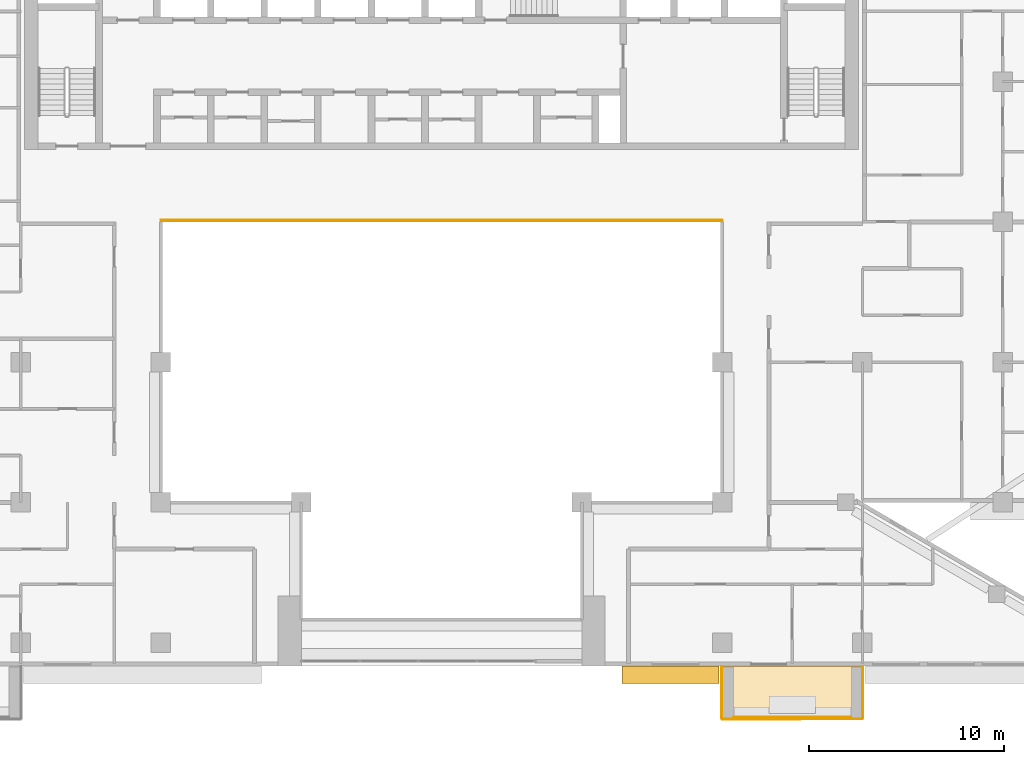
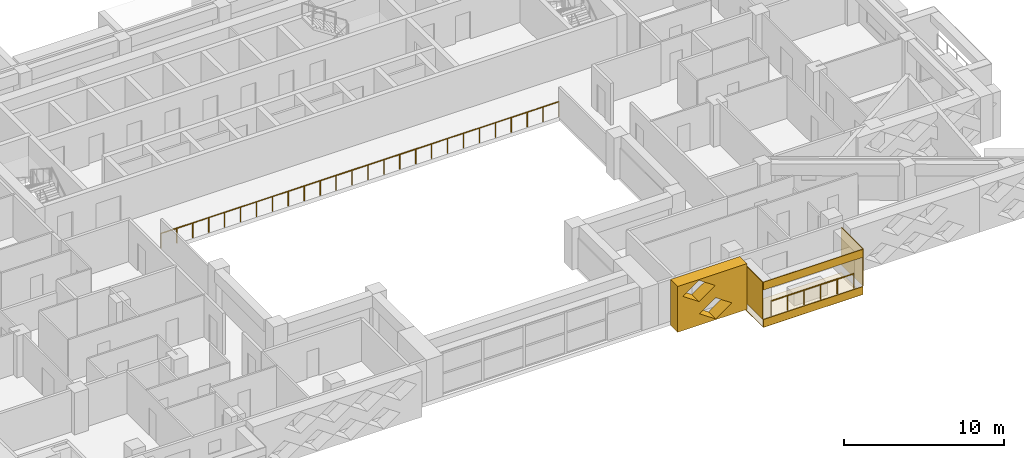
# One storey, part 15 of 19: 6 coverings, 2 railings.
"""IFC4 building model written with IfcOpenShell, lengths in metres."""

from ifc_helpers import new_model, si_unit, direction, frame, origin, origin_2d, place, context, subcontext, project, spatial, polyline, circle, outline, extrude, material, layer, layer_set, type_object, element, save


model = new_model("IFC4")

# Units and contexts
model_context = context("Model", 3, precision=1e-05, world=origin(), true_north=direction((0.0, 1.0)))
body_context = subcontext(model_context, "Body", "Model", "MODEL_VIEW")
ifc_project = project(units=[si_unit("LENGTHUNIT", "METRE"), si_unit("AREAUNIT", "SQUARE_METRE"), si_unit("VOLUMEUNIT", "CUBIC_METRE"), si_unit("PLANEANGLEUNIT", "RADIAN"), si_unit("MASSUNIT", "GRAM", prefix="KILO")], contexts=[model_context])

# Site, building, storey
site_placement = place(None, origin())
site = spatial("IfcSite", under=ifc_project, at=site_placement, CompositionType="ELEMENT")
building_placement = place(site_placement, origin())
building = spatial("IfcBuilding", under=site, at=building_placement, Name="Saffron Iwan Residences", CompositionType="ELEMENT")
storey_placement = place(building_placement, frame((0.0, 0.0, 160.5)))
storey = spatial("IfcBuildingStorey", under=building, at=storey_placement, Name="L42", CompositionType="ELEMENT", Elevation=160.5)

# Railings
ifc_material_1 = material(Name="Stainless steel 316", Category="steel")
railing_type_1 = type_object("IfcRailingType", Name="Atrium guard 1150", PredefinedType="GUARDRAIL", material=ifc_material_1)
railing_1_placement = place(storey_placement, frame((36.0, 62.47509765625, 0.0)))
element("IfcRailing", 1, at=railing_1_placement, inside=storey, type_object=railing_type_1, Name="Atrium guard L42", PredefinedType="GUARDRAIL", context=body_context, shape_type="SweptSolid", body=[
    extrude(circle(Radius=0.02392578125, at=origin_2d()), frame((0.0, 0.0, 1.1259765625), z_axis=(1.0, 0.0, 0.0), x_axis=(0.0, 1.0, 0.0)), (0.0, 0.0, 1.0), 28.800048828125),
    extrude(circle(Radius=0.02099609375, at=origin_2d()), origin(), (0.0, 0.0, 1.0), 1.101806640625),
    extrude(circle(Radius=0.02099609375, at=origin_2d()), frame((1.152099609375, 0.0, 0.0)), (0.0, 0.0, 1.0), 1.101806640625),
    extrude(circle(Radius=0.02099609375, at=origin_2d()), frame((2.303955078125, 0.0, 0.0)), (0.0, 0.0, 1.0), 1.101806640625),
    extrude(circle(Radius=0.02099609375, at=origin_2d()), frame((3.4560546875, 0.0, 0.0)), (0.0, 0.0, 1.0), 1.101806640625),
    extrude(circle(Radius=0.02099609375, at=origin_2d()), frame((4.60791015625, 0.0, 0.0)), (0.0, 0.0, 1.0), 1.101806640625),
    extrude(circle(Radius=0.02099609375, at=origin_2d()), frame((5.760009765625, 0.0, 0.0)), (0.0, 0.0, 1.0), 1.101806640625),
    extrude(circle(Radius=0.02099609375, at=origin_2d()), frame((6.912109375, 0.0, 0.0)), (0.0, 0.0, 1.0), 1.101806640625),
    extrude(circle(Radius=0.02099609375, at=origin_2d()), frame((8.06396484375, 0.0, 0.0)), (0.0, 0.0, 1.0), 1.101806640625),
    extrude(circle(Radius=0.02099609375, at=origin_2d()), frame((9.216064453125, 0.0, 0.0)), (0.0, 0.0, 1.0), 1.101806640625),
    extrude(circle(Radius=0.02099609375, at=origin_2d()), frame((10.367919921875, 0.0, 0.0)), (0.0, 0.0, 1.0), 1.101806640625),
    extrude(circle(Radius=0.02099609375, at=origin_2d()), frame((11.52001953125, 0.0, 0.0)), (0.0, 0.0, 1.0), 1.101806640625),
    extrude(circle(Radius=0.02099609375, at=origin_2d()), frame((12.672119140625, 0.0, 0.0)), (0.0, 0.0, 1.0), 1.101806640625),
    extrude(circle(Radius=0.02099609375, at=origin_2d()), frame((13.823974609375, 0.0, 0.0)), (0.0, 0.0, 1.0), 1.101806640625),
    extrude(circle(Radius=0.02099609375, at=origin_2d()), frame((14.97607421875, 0.0, 0.0)), (0.0, 0.0, 1.0), 1.101806640625),
    extrude(circle(Radius=0.02099609375, at=origin_2d()), frame((16.1279296875, 0.0, 0.0)), (0.0, 0.0, 1.0), 1.101806640625),
    extrude(circle(Radius=0.02099609375, at=origin_2d()), frame((17.280029296875, 0.0, 0.0)), (0.0, 0.0, 1.0), 1.101806640625),
    extrude(circle(Radius=0.02099609375, at=origin_2d()), frame((18.43212890625, 0.0, 0.0)), (0.0, 0.0, 1.0), 1.101806640625),
    extrude(circle(Radius=0.02099609375, at=origin_2d()), frame((19.583984375, 0.0, 0.0)), (0.0, 0.0, 1.0), 1.101806640625),
    extrude(circle(Radius=0.02099609375, at=origin_2d()), frame((20.736083984375, 0.0, 0.0)), (0.0, 0.0, 1.0), 1.101806640625),
    extrude(circle(Radius=0.02099609375, at=origin_2d()), frame((21.887939453125, 0.0, 0.0)), (0.0, 0.0, 1.0), 1.101806640625),
    extrude(circle(Radius=0.02099609375, at=origin_2d()), frame((23.0400390625, 0.0, 0.0)), (0.0, 0.0, 1.0), 1.101806640625),
    extrude(circle(Radius=0.02099609375, at=origin_2d()), frame((24.192138671875, 0.0, 0.0)), (0.0, 0.0, 1.0), 1.101806640625),
    extrude(circle(Radius=0.02099609375, at=origin_2d()), frame((25.343994140625, 0.0, 0.0)), (0.0, 0.0, 1.0), 1.101806640625),
    extrude(circle(Radius=0.02099609375, at=origin_2d()), frame((26.49609375, 0.0, 0.0)), (0.0, 0.0, 1.0), 1.101806640625),
    extrude(circle(Radius=0.02099609375, at=origin_2d()), frame((27.64794921875, 0.0, 0.0)), (0.0, 0.0, 1.0), 1.101806640625),
    extrude(circle(Radius=0.02099609375, at=origin_2d()), frame((28.800048828125, 0.0, 0.0)), (0.0, 0.0, 1.0), 1.101806640625),
])
railing_type_2 = type_object("IfcRailingType", Name="BALCONY GUARD 1150", PredefinedType="GUARDRAIL", material=ifc_material_1)
railing_2_placement = place(storey_placement, frame((65.39990234375, 36.97509765625, 0.0)))
element("IfcRailing", 2, at=railing_2_placement, inside=storey, type_object=railing_type_2, Name="Balcony guard L42 11-1", PredefinedType="GUARDRAIL", context=body_context, shape_type="SweptSolid", body=[
    extrude(circle(Radius=0.02392578125, at=origin_2d()), frame((0.0, 0.0, 1.1259765625), z_axis=(1.0, 0.0, 0.0), x_axis=(0.0, 1.0, 0.0)), (0.0, 0.0, 1.0), 6.0),
    extrude(circle(Radius=0.02099609375, at=origin_2d()), origin(), (0.0, 0.0, 1.0), 1.101806640625),
    extrude(circle(Radius=0.02099609375, at=origin_2d()), frame((1.199951171875, 0.0, 0.0)), (0.0, 0.0, 1.0), 1.101806640625),
    extrude(circle(Radius=0.02099609375, at=origin_2d()), frame((2.39990234375, 0.0, 0.0)), (0.0, 0.0, 1.0), 1.101806640625),
    extrude(circle(Radius=0.02099609375, at=origin_2d()), frame((3.60009765625, 0.0, 0.0)), (0.0, 0.0, 1.0), 1.101806640625),
    extrude(circle(Radius=0.02099609375, at=origin_2d()), frame((4.800048828125, 0.0, 0.0)), (0.0, 0.0, 1.0), 1.101806640625),
    extrude(circle(Radius=0.02099609375, at=origin_2d()), frame((6.0, 0.0, 0.0)), (0.0, 0.0, 1.0), 1.101806640625),
])

# Coverings
ifc_material_2 = material(Name="Precast concrete C40/50 white painted", Category="concrete")
ifc_layer = layer(ifc_material_2, 0.050048828125)
ifc_layer_set = layer_set([ifc_layer], Name="Precast concrete C40/50 white painted")
covering_type_1 = type_object("IfcCoveringType", Name="FRAME SKIN PRECAST WHITE 50", PredefinedType="CLADDING", material=ifc_layer_set)
for number, where, name in (
    (3, (0.0, 0.0, -0.60009765625), "Frame skin slab edge L42 11-1"),
    (4, (0.0, 0.0, 2.25), "Frame skin fascia L42 11-1"),
):
    element("IfcCovering", number, at=place(storey_placement, frame(where)), inside=storey, type_object=covering_type_1, Name=name, PredefinedType="CLADDING", context=body_context, shape_type="SweptSolid", body=[
        extrude(outline(polyline([(64.800048828125, 36.85009765625), (72.0, 36.85009765625), (72.0, 36.89990234375), (64.800048828125, 36.89990234375), (64.800048828125, 36.85009765625)])), origin(), (0.0, 0.0, 1.0), 0.60009765625),
    ])
covering_1_placement = place(storey_placement, frame((0.0, 0.0, -0.64990234375)))
element("IfcCovering", 5, at=covering_1_placement, inside=storey, type_object=covering_type_1, Name="Frame skin soffit L42 11-1", PredefinedType="CLADDING", context=body_context, shape_type="SweptSolid", body=[
    extrude(outline(polyline([(64.800048828125, 36.89990234375), (72.0, 36.89990234375), (72.0, 39.60009765625), (64.800048828125, 39.60009765625), (64.800048828125, 36.89990234375)])), origin(), (0.0, 0.0, 1.0), 0.0498046875),
])
covering_2_placement = place(storey_placement, origin())
element("IfcCovering", 6, at=covering_2_placement, inside=storey, type_object=covering_type_1, Name="Frame skin fin L42 11-1a", PredefinedType="CLADDING", context=body_context, shape_type="SweptSolid", body=[
    extrude(outline(polyline([(64.75, 36.89990234375), (64.800048828125, 36.89990234375), (64.800048828125, 39.60009765625), (64.75, 39.60009765625), (64.75, 36.89990234375)])), origin(), (0.0, 0.0, 1.0), 2.85009765625),
])
covering_3_placement = place(storey_placement, origin())
element("IfcCovering", 7, at=covering_3_placement, inside=storey, type_object=covering_type_1, Name="Frame skin fin L42 11-1b", PredefinedType="CLADDING", context=body_context, shape_type="SweptSolid", body=[
    extrude(outline(polyline([(72.0, 36.89990234375), (72.050048828125, 36.89990234375), (72.050048828125, 39.60009765625), (72.0, 39.60009765625), (72.0, 36.89990234375)])), origin(), (0.0, 0.0, 1.0), 2.85009765625),
])
ifc_material_3 = material(Name="Precast concrete C40/50", Category="concrete")
covering_type_2 = type_object("IfcCoveringType", Name="OUTER SKIN LATTICE SCREEN", PredefinedType="CLADDING", material=ifc_material_3)
covering_4_placement = place(storey_placement, frame((59.64990234375, 39.60009765625, -0.300048828125), z_axis=(0.0, -1.0, 0.0), x_axis=(1.0, 0.0, 0.0)))
element("IfcCovering", 8, at=covering_4_placement, inside=storey, type_object=covering_type_2, Name="OUTER SKIN lattice screen L42 F11.2", PredefinedType="CLADDING", context=body_context, shape_type="SweptSolid", body=[
    extrude(outline(polyline([(0.0, 0.0), (5.0, 0.0), (5.0, 3.5), (0.0, 3.5), (0.0, 0.0)]), holes=[polyline([(1.570068359375, 0.875), (2.75, 0.06005859375), (3.929931640625, 0.875), (2.75, 1.68994140625), (1.570068359375, 0.875)]), polyline([(0.3701171875, 2.625), (1.550048828125, 1.81005859375), (2.72998046875, 2.625), (1.550048828125, 3.43994140625), (0.3701171875, 2.625)])]), origin(), (0.0, 0.0, 1.0), 0.900146484375),
])

save(model, "model.ifc")
